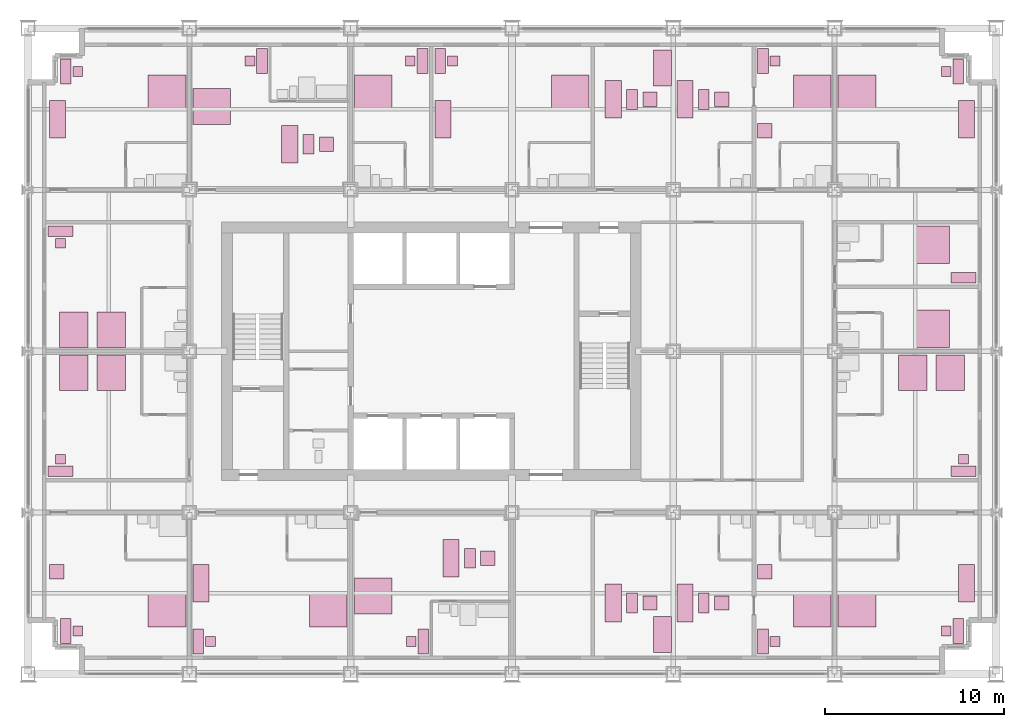
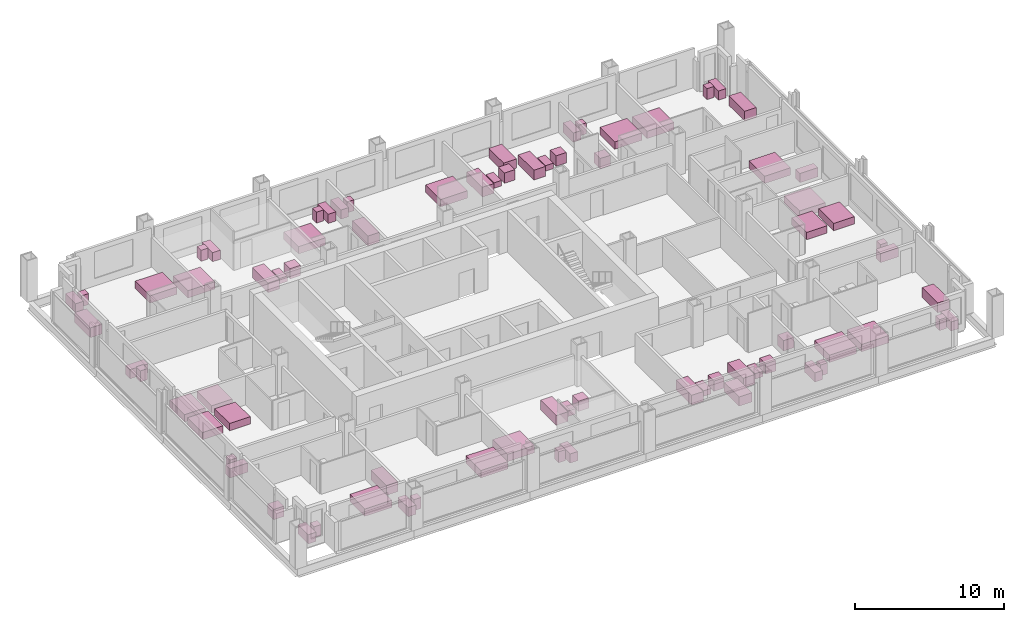
# One storey, part 18 of 18: 76 furniture elements.
"""IFC4 building model written with IfcOpenShell, lengths in metres."""

from ifc_helpers import new_model, si_unit, direction, frame, origin, origin_2d, place, context, subcontext, project, spatial, rectangle, extrude, element, save


model = new_model("IFC4")

# Units and contexts
model_context = context("Model", 3, precision=1e-05, world=origin(), true_north=direction((0.0, 1.0)))
body_context = subcontext(model_context, "Body", "Model", "MODEL_VIEW")
ifc_project = project(units=[si_unit("LENGTHUNIT", "METRE"), si_unit("AREAUNIT", "SQUARE_METRE"), si_unit("VOLUMEUNIT", "CUBIC_METRE"), si_unit("PLANEANGLEUNIT", "RADIAN"), si_unit("MASSUNIT", "GRAM", prefix="KILO")], contexts=[model_context])

# Site, building, storey
site_placement = place(None, origin())
site = spatial("IfcSite", under=ifc_project, at=site_placement, CompositionType="ELEMENT")
building_placement = place(site_placement, origin())
building = spatial("IfcBuilding", under=site, at=building_placement, Name="Loomwork Tower", CompositionType="ELEMENT")
storey_placement = place(building_placement, frame((0.0, 0.0, 79.0)))
storey = spatial("IfcBuildingStorey", under=building, at=storey_placement, Name="L20", CompositionType="ELEMENT", Elevation=79.0)

# Furniture
furniture_1_placement = place(storey_placement, frame((7.75, 3.60009765625, 0.0), z_axis=(0.0, 0.0, 1.0), x_axis=(1.0, 0.0, 0.0)))
element("IfcFurniture", 1, at=furniture_1_placement, inside=storey, Name="King bed L20", PredefinedType="BED", context=body_context, shape_type="SweptSolid", body=[
    extrude(rectangle(XDim=2.10009765625, YDim=2.0, at=origin_2d()), origin(), (0.0, 0.0, 1.0), 0.60009765625),
])
furniture_2_placement = place(storey_placement, frame((2.10009765625, 2.39990234375, 0.0), z_axis=(0.0, 0.0, 1.0), x_axis=(1.0, 0.0, 0.0)))
element("IfcFurniture", 2, at=furniture_2_placement, inside=storey, Name="Writing desk L20", PredefinedType="DESK", context=body_context, shape_type="SweptSolid", body=[
    extrude(rectangle(XDim=0.60009765625, YDim=1.39990234375, at=origin_2d()), origin(), (0.0, 0.0, 1.0), 0.75),
])
furniture_3_placement = place(storey_placement, frame((2.77490234375, 2.39990234375, 0.0), z_axis=(0.0, 0.0, 1.0), x_axis=(1.0, 0.0, 0.0)))
element("IfcFurniture", 3, at=furniture_3_placement, inside=storey, Name="Desk chair L20", PredefinedType="CHAIR", context=body_context, shape_type="SweptSolid", body=[
    extrude(rectangle(XDim=0.550048828125, YDim=0.550048828125, at=origin_2d()), origin(), (0.0, 0.0, 1.0), 0.89990234375),
])
furniture_4_placement = place(storey_placement, frame((1.60009765625, 5.699951171875, 0.0), z_axis=(0.0, 0.0, 1.0), x_axis=(1.0, 0.0, 0.0)))
element("IfcFurniture", 4, at=furniture_4_placement, inside=storey, Name="Lounge armchair L20", PredefinedType="CHAIR", context=body_context, shape_type="SweptSolid", body=[
    extrude(rectangle(XDim=0.800048828125, YDim=0.800048828125, at=origin_2d()), origin(), (0.0, 0.0, 1.0), 0.85009765625),
])
furniture_5_placement = place(storey_placement, frame((16.75, 3.60009765625, 0.0), z_axis=(0.0, 0.0, 1.0), x_axis=(1.0, 0.0, 0.0)))
element("IfcFurniture", 5, at=furniture_5_placement, inside=storey, Name="King bed L20", PredefinedType="BED", context=body_context, shape_type="SweptSolid", body=[
    extrude(rectangle(XDim=2.10009765625, YDim=2.0, at=origin_2d()), origin(), (0.0, 0.0, 1.0), 0.60009765625),
])
furniture_6_placement = place(storey_placement, frame((9.5, 1.800048828125, 0.0), z_axis=(0.0, 0.0, 1.0), x_axis=(1.0, 0.0, 0.0)))
element("IfcFurniture", 6, at=furniture_6_placement, inside=storey, Name="Writing desk L20", PredefinedType="DESK", context=body_context, shape_type="SweptSolid", body=[
    extrude(rectangle(XDim=0.60009765625, YDim=1.39990234375, at=origin_2d()), origin(), (0.0, 0.0, 1.0), 0.75),
])
furniture_7_placement = place(storey_placement, frame((10.175048828125, 1.800048828125, 0.0), z_axis=(0.0, 0.0, 1.0), x_axis=(1.0, 0.0, 0.0)))
element("IfcFurniture", 7, at=furniture_7_placement, inside=storey, Name="Desk chair L20", PredefinedType="CHAIR", context=body_context, shape_type="SweptSolid", body=[
    extrude(rectangle(XDim=0.550048828125, YDim=0.550048828125, at=origin_2d()), origin(), (0.0, 0.0, 1.0), 0.89990234375),
])
furniture_8_placement = place(storey_placement, frame((9.64990234375, 5.050048828125, 0.0), z_axis=(0.0, 0.0, 1.0), x_axis=(1.0, 0.0, 0.0)))
element("IfcFurniture", 8, at=furniture_8_placement, inside=storey, Name="Sofa L20", PredefinedType="SOFA", context=body_context, shape_type="SweptSolid", body=[
    extrude(rectangle(XDim=0.89990234375, YDim=2.10009765625, at=origin_2d()), origin(), (0.0, 0.0, 1.0), 0.800048828125),
])
furniture_9_placement = place(storey_placement, frame((19.25, 4.35009765625, 0.0), z_axis=(0.0, 0.0, 1.0), x_axis=(1.0, 0.0, 0.0)))
element("IfcFurniture", 9, at=furniture_9_placement, inside=storey, Name="King bed L20", PredefinedType="BED", context=body_context, shape_type="SweptSolid", body=[
    extrude(rectangle(XDim=2.10009765625, YDim=2.0, at=origin_2d()), origin(), (0.0, 0.0, 1.0), 0.60009765625),
])
furniture_10_placement = place(storey_placement, frame((22.050048828125, 1.800048828125, 0.0), z_axis=(0.0, 0.0, 1.0), x_axis=(1.0, 0.0, 0.0)))
element("IfcFurniture", 10, at=furniture_10_placement, inside=storey, Name="Writing desk L20", PredefinedType="DESK", context=body_context, shape_type="SweptSolid", body=[
    extrude(rectangle(XDim=0.60009765625, YDim=1.39990234375, at=origin_2d()), origin(), (0.0, 0.0, 1.0), 0.75),
])
furniture_11_placement = place(storey_placement, frame((21.375, 1.800048828125, 0.0), z_axis=(0.0, 0.0, 1.0), x_axis=(1.0, 0.0, 0.0)))
element("IfcFurniture", 11, at=furniture_11_placement, inside=storey, Name="Desk chair L20", PredefinedType="CHAIR", context=body_context, shape_type="SweptSolid", body=[
    extrude(rectangle(XDim=0.550048828125, YDim=0.550048828125, at=origin_2d()), origin(), (0.0, 0.0, 1.0), 0.89990234375),
])
furniture_12_placement = place(storey_placement, frame((23.60009765625, 6.449951171875, 0.0), z_axis=(0.0, 0.0, 1.0), x_axis=(1.0, 0.0, 0.0)))
element("IfcFurniture", 12, at=furniture_12_placement, inside=storey, Name="Sofa L20", PredefinedType="SOFA", context=body_context, shape_type="SweptSolid", body=[
    extrude(rectangle(XDim=0.89990234375, YDim=2.10009765625, at=origin_2d()), origin(), (0.0, 0.0, 1.0), 0.800048828125),
])
furniture_13_placement = place(storey_placement, frame((24.64990234375, 6.449951171875, 0.0), z_axis=(0.0, 0.0, 1.0), x_axis=(1.0, 0.0, 0.0)))
element("IfcFurniture", 13, at=furniture_13_placement, inside=storey, Name="Coffee table L20", PredefinedType="TABLE", context=body_context, shape_type="SweptSolid", body=[
    extrude(rectangle(XDim=0.60009765625, YDim=1.10009765625, at=origin_2d()), origin(), (0.0, 0.0, 1.0), 0.449951171875),
])
furniture_14_placement = place(storey_placement, frame((25.64990234375, 6.449951171875, 0.0), z_axis=(0.0, 0.0, 1.0), x_axis=(1.0, 0.0, 0.0)))
element("IfcFurniture", 14, at=furniture_14_placement, inside=storey, Name="Lounge armchair L20", PredefinedType="CHAIR", context=body_context, shape_type="SweptSolid", body=[
    extrude(rectangle(XDim=0.800048828125, YDim=0.800048828125, at=origin_2d()), origin(), (0.0, 0.0, 1.0), 0.85009765625),
])
furniture_15_placement = place(storey_placement, frame((32.64990234375, 3.949951171875, 0.0), z_axis=(0.0, 0.0, 1.0), x_axis=(1.0, 0.0, 0.0)))
element("IfcFurniture", 15, at=furniture_15_placement, inside=storey, Name="Sofa L20", PredefinedType="SOFA", context=body_context, shape_type="SweptSolid", body=[
    extrude(rectangle(XDim=0.89990234375, YDim=2.10009765625, at=origin_2d()), origin(), (0.0, 0.0, 1.0), 0.800048828125),
])
furniture_16_placement = place(storey_placement, frame((33.699951171875, 3.949951171875, 0.0), z_axis=(0.0, 0.0, 1.0), x_axis=(1.0, 0.0, 0.0)))
element("IfcFurniture", 16, at=furniture_16_placement, inside=storey, Name="Coffee table L20", PredefinedType="TABLE", context=body_context, shape_type="SweptSolid", body=[
    extrude(rectangle(XDim=0.60009765625, YDim=1.10009765625, at=origin_2d()), origin(), (0.0, 0.0, 1.0), 0.449951171875),
])
furniture_17_placement = place(storey_placement, frame((34.699951171875, 3.949951171875, 0.0), z_axis=(0.0, 0.0, 1.0), x_axis=(1.0, 0.0, 0.0)))
element("IfcFurniture", 17, at=furniture_17_placement, inside=storey, Name="Lounge armchair L20", PredefinedType="CHAIR", context=body_context, shape_type="SweptSolid", body=[
    extrude(rectangle(XDim=0.800048828125, YDim=0.800048828125, at=origin_2d()), origin(), (0.0, 0.0, 1.0), 0.85009765625),
])
furniture_18_placement = place(storey_placement, frame((36.64990234375, 3.949951171875, 0.0), z_axis=(0.0, 0.0, 1.0), x_axis=(1.0, 0.0, 0.0)))
element("IfcFurniture", 18, at=furniture_18_placement, inside=storey, Name="Sofa L20", PredefinedType="SOFA", context=body_context, shape_type="SweptSolid", body=[
    extrude(rectangle(XDim=0.89990234375, YDim=2.10009765625, at=origin_2d()), origin(), (0.0, 0.0, 1.0), 0.800048828125),
])
furniture_19_placement = place(storey_placement, frame((37.699951171875, 3.949951171875, 0.0), z_axis=(0.0, 0.0, 1.0), x_axis=(1.0, 0.0, 0.0)))
element("IfcFurniture", 19, at=furniture_19_placement, inside=storey, Name="Coffee table L20", PredefinedType="TABLE", context=body_context, shape_type="SweptSolid", body=[
    extrude(rectangle(XDim=0.60009765625, YDim=1.10009765625, at=origin_2d()), origin(), (0.0, 0.0, 1.0), 0.449951171875),
])
furniture_20_placement = place(storey_placement, frame((38.699951171875, 3.949951171875, 0.0), z_axis=(0.0, 0.0, 1.0), x_axis=(1.0, 0.0, 0.0)))
element("IfcFurniture", 20, at=furniture_20_placement, inside=storey, Name="Lounge armchair L20", PredefinedType="CHAIR", context=body_context, shape_type="SweptSolid", body=[
    extrude(rectangle(XDim=0.800048828125, YDim=0.800048828125, at=origin_2d()), origin(), (0.0, 0.0, 1.0), 0.85009765625),
])
furniture_21_placement = place(storey_placement, frame((35.39990234375, 2.199951171875, 0.0), z_axis=(0.0, 0.0, 1.0), x_axis=(1.0, 0.0, 0.0)))
element("IfcFurniture", 21, at=furniture_21_placement, inside=storey, Name="Dining table L20", PredefinedType="TABLE", context=body_context, shape_type="SweptSolid", body=[
    extrude(rectangle(XDim=1.0, YDim=2.0, at=origin_2d()), origin(), (0.0, 0.0, 1.0), 0.75),
])
furniture_22_placement = place(storey_placement, frame((43.75, 3.60009765625, 0.0), z_axis=(0.0, 0.0, 1.0), x_axis=(1.0, 0.0, 0.0)))
element("IfcFurniture", 22, at=furniture_22_placement, inside=storey, Name="King bed L20", PredefinedType="BED", context=body_context, shape_type="SweptSolid", body=[
    extrude(rectangle(XDim=2.10009765625, YDim=2.0, at=origin_2d()), origin(), (0.0, 0.0, 1.0), 0.60009765625),
])
furniture_23_placement = place(storey_placement, frame((41.0, 1.800048828125, 0.0), z_axis=(0.0, 0.0, 1.0), x_axis=(1.0, 0.0, 0.0)))
element("IfcFurniture", 23, at=furniture_23_placement, inside=storey, Name="Writing desk L20", PredefinedType="DESK", context=body_context, shape_type="SweptSolid", body=[
    extrude(rectangle(XDim=0.60009765625, YDim=1.39990234375, at=origin_2d()), origin(), (0.0, 0.0, 1.0), 0.75),
])
furniture_24_placement = place(storey_placement, frame((41.675048828125, 1.800048828125, 0.0), z_axis=(0.0, 0.0, 1.0), x_axis=(1.0, 0.0, 0.0)))
element("IfcFurniture", 24, at=furniture_24_placement, inside=storey, Name="Desk chair L20", PredefinedType="CHAIR", context=body_context, shape_type="SweptSolid", body=[
    extrude(rectangle(XDim=0.550048828125, YDim=0.550048828125, at=origin_2d()), origin(), (0.0, 0.0, 1.0), 0.89990234375),
])
furniture_25_placement = place(storey_placement, frame((41.10009765625, 5.699951171875, 0.0), z_axis=(0.0, 0.0, 1.0), x_axis=(1.0, 0.0, 0.0)))
element("IfcFurniture", 25, at=furniture_25_placement, inside=storey, Name="Lounge armchair L20", PredefinedType="CHAIR", context=body_context, shape_type="SweptSolid", body=[
    extrude(rectangle(XDim=0.800048828125, YDim=0.800048828125, at=origin_2d()), origin(), (0.0, 0.0, 1.0), 0.85009765625),
])
furniture_26_placement = place(storey_placement, frame((46.25, 3.60009765625, 0.0), z_axis=(0.0, 0.0, 1.0), x_axis=(1.0, 0.0, 0.0)))
element("IfcFurniture", 26, at=furniture_26_placement, inside=storey, Name="King bed L20", PredefinedType="BED", context=body_context, shape_type="SweptSolid", body=[
    extrude(rectangle(XDim=2.10009765625, YDim=2.0, at=origin_2d()), origin(), (0.0, 0.0, 1.0), 0.60009765625),
])
furniture_27_placement = place(storey_placement, frame((51.89990234375, 2.39990234375, 0.0), z_axis=(0.0, 0.0, 1.0), x_axis=(1.0, 0.0, 0.0)))
element("IfcFurniture", 27, at=furniture_27_placement, inside=storey, Name="Writing desk L20", PredefinedType="DESK", context=body_context, shape_type="SweptSolid", body=[
    extrude(rectangle(XDim=0.60009765625, YDim=1.39990234375, at=origin_2d()), origin(), (0.0, 0.0, 1.0), 0.75),
])
furniture_28_placement = place(storey_placement, frame((51.22509765625, 2.39990234375, 0.0), z_axis=(0.0, 0.0, 1.0), x_axis=(1.0, 0.0, 0.0)))
element("IfcFurniture", 28, at=furniture_28_placement, inside=storey, Name="Desk chair L20", PredefinedType="CHAIR", context=body_context, shape_type="SweptSolid", body=[
    extrude(rectangle(XDim=0.550048828125, YDim=0.550048828125, at=origin_2d()), origin(), (0.0, 0.0, 1.0), 0.89990234375),
])
furniture_29_placement = place(storey_placement, frame((52.35009765625, 5.050048828125, 0.0), z_axis=(0.0, 0.0, 1.0), x_axis=(1.0, 0.0, 0.0)))
element("IfcFurniture", 29, at=furniture_29_placement, inside=storey, Name="Sofa L20", PredefinedType="SOFA", context=body_context, shape_type="SweptSolid", body=[
    extrude(rectangle(XDim=0.89990234375, YDim=2.10009765625, at=origin_2d()), origin(), (0.0, 0.0, 1.0), 0.800048828125),
])
furniture_30_placement = place(storey_placement, frame((7.75, 32.39990234375, 0.0), z_axis=(0.0, 0.0, 1.0), x_axis=(1.0, 0.0, 0.0)))
element("IfcFurniture", 30, at=furniture_30_placement, inside=storey, Name="King bed L20", PredefinedType="BED", context=body_context, shape_type="SweptSolid", body=[
    extrude(rectangle(XDim=2.10009765625, YDim=2.0, at=origin_2d()), origin(), (0.0, 0.0, 1.0), 0.60009765625),
])
furniture_31_placement = place(storey_placement, frame((2.10009765625, 33.60009765625, 0.0), z_axis=(0.0, 0.0, 1.0), x_axis=(1.0, 0.0, 0.0)))
element("IfcFurniture", 31, at=furniture_31_placement, inside=storey, Name="Writing desk L20", PredefinedType="DESK", context=body_context, shape_type="SweptSolid", body=[
    extrude(rectangle(XDim=0.60009765625, YDim=1.39990234375, at=origin_2d()), origin(), (0.0, 0.0, 1.0), 0.75),
])
furniture_32_placement = place(storey_placement, frame((2.77490234375, 33.60009765625, 0.0), z_axis=(0.0, 0.0, 1.0), x_axis=(1.0, 0.0, 0.0)))
element("IfcFurniture", 32, at=furniture_32_placement, inside=storey, Name="Desk chair L20", PredefinedType="CHAIR", context=body_context, shape_type="SweptSolid", body=[
    extrude(rectangle(XDim=0.550048828125, YDim=0.550048828125, at=origin_2d()), origin(), (0.0, 0.0, 1.0), 0.89990234375),
])
furniture_33_placement = place(storey_placement, frame((1.64990234375, 30.949951171875, 0.0), z_axis=(0.0, 0.0, 1.0), x_axis=(1.0, 0.0, 0.0)))
element("IfcFurniture", 33, at=furniture_33_placement, inside=storey, Name="Sofa L20", PredefinedType="SOFA", context=body_context, shape_type="SweptSolid", body=[
    extrude(rectangle(XDim=0.89990234375, YDim=2.10009765625, at=origin_2d()), origin(), (0.0, 0.0, 1.0), 0.800048828125),
])
furniture_34_placement = place(storey_placement, frame((10.25, 31.64990234375, 0.0), z_axis=(0.0, 0.0, 1.0), x_axis=(1.0, 0.0, 0.0)))
element("IfcFurniture", 34, at=furniture_34_placement, inside=storey, Name="King bed L20", PredefinedType="BED", context=body_context, shape_type="SweptSolid", body=[
    extrude(rectangle(XDim=2.10009765625, YDim=2.0, at=origin_2d()), origin(), (0.0, 0.0, 1.0), 0.60009765625),
])
furniture_35_placement = place(storey_placement, frame((13.050048828125, 34.199951171875, 0.0), z_axis=(0.0, 0.0, 1.0), x_axis=(1.0, 0.0, 0.0)))
element("IfcFurniture", 35, at=furniture_35_placement, inside=storey, Name="Writing desk L20", PredefinedType="DESK", context=body_context, shape_type="SweptSolid", body=[
    extrude(rectangle(XDim=0.60009765625, YDim=1.39990234375, at=origin_2d()), origin(), (0.0, 0.0, 1.0), 0.75),
])
furniture_36_placement = place(storey_placement, frame((12.375, 34.199951171875, 0.0), z_axis=(0.0, 0.0, 1.0), x_axis=(1.0, 0.0, 0.0)))
element("IfcFurniture", 36, at=furniture_36_placement, inside=storey, Name="Desk chair L20", PredefinedType="CHAIR", context=body_context, shape_type="SweptSolid", body=[
    extrude(rectangle(XDim=0.550048828125, YDim=0.550048828125, at=origin_2d()), origin(), (0.0, 0.0, 1.0), 0.89990234375),
])
furniture_37_placement = place(storey_placement, frame((14.60009765625, 29.550048828125, 0.0), z_axis=(0.0, 0.0, 1.0), x_axis=(1.0, 0.0, 0.0)))
element("IfcFurniture", 37, at=furniture_37_placement, inside=storey, Name="Sofa L20", PredefinedType="SOFA", context=body_context, shape_type="SweptSolid", body=[
    extrude(rectangle(XDim=0.89990234375, YDim=2.10009765625, at=origin_2d()), origin(), (0.0, 0.0, 1.0), 0.800048828125),
])
furniture_38_placement = place(storey_placement, frame((15.64990234375, 29.550048828125, 0.0), z_axis=(0.0, 0.0, 1.0), x_axis=(1.0, 0.0, 0.0)))
element("IfcFurniture", 38, at=furniture_38_placement, inside=storey, Name="Coffee table L20", PredefinedType="TABLE", context=body_context, shape_type="SweptSolid", body=[
    extrude(rectangle(XDim=0.60009765625, YDim=1.10009765625, at=origin_2d()), origin(), (0.0, 0.0, 1.0), 0.449951171875),
])
furniture_39_placement = place(storey_placement, frame((16.64990234375, 29.550048828125, 0.0), z_axis=(0.0, 0.0, 1.0), x_axis=(1.0, 0.0, 0.0)))
element("IfcFurniture", 39, at=furniture_39_placement, inside=storey, Name="Lounge armchair L20", PredefinedType="CHAIR", context=body_context, shape_type="SweptSolid", body=[
    extrude(rectangle(XDim=0.800048828125, YDim=0.800048828125, at=origin_2d()), origin(), (0.0, 0.0, 1.0), 0.85009765625),
])
furniture_40_placement = place(storey_placement, frame((19.25, 32.39990234375, 0.0), z_axis=(0.0, 0.0, 1.0), x_axis=(1.0, 0.0, 0.0)))
element("IfcFurniture", 40, at=furniture_40_placement, inside=storey, Name="King bed L20", PredefinedType="BED", context=body_context, shape_type="SweptSolid", body=[
    extrude(rectangle(XDim=2.10009765625, YDim=2.0, at=origin_2d()), origin(), (0.0, 0.0, 1.0), 0.60009765625),
])
furniture_41_placement = place(storey_placement, frame((22.0, 34.199951171875, 0.0), z_axis=(0.0, 0.0, 1.0), x_axis=(1.0, 0.0, 0.0)))
element("IfcFurniture", 41, at=furniture_41_placement, inside=storey, Name="Writing desk L20", PredefinedType="DESK", context=body_context, shape_type="SweptSolid", body=[
    extrude(rectangle(XDim=0.60009765625, YDim=1.39990234375, at=origin_2d()), origin(), (0.0, 0.0, 1.0), 0.75),
])
furniture_42_placement = place(storey_placement, frame((21.324951171875, 34.199951171875, 0.0), z_axis=(0.0, 0.0, 1.0), x_axis=(1.0, 0.0, 0.0)))
element("IfcFurniture", 42, at=furniture_42_placement, inside=storey, Name="Desk chair L20", PredefinedType="CHAIR", context=body_context, shape_type="SweptSolid", body=[
    extrude(rectangle(XDim=0.550048828125, YDim=0.550048828125, at=origin_2d()), origin(), (0.0, 0.0, 1.0), 0.89990234375),
])
furniture_43_placement = place(storey_placement, frame((30.25, 32.39990234375, 0.0), z_axis=(0.0, 0.0, 1.0), x_axis=(1.0, 0.0, 0.0)))
element("IfcFurniture", 43, at=furniture_43_placement, inside=storey, Name="King bed L20", PredefinedType="BED", context=body_context, shape_type="SweptSolid", body=[
    extrude(rectangle(XDim=2.10009765625, YDim=2.0, at=origin_2d()), origin(), (0.0, 0.0, 1.0), 0.60009765625),
])
furniture_44_placement = place(storey_placement, frame((23.0, 34.199951171875, 0.0), z_axis=(0.0, 0.0, 1.0), x_axis=(1.0, 0.0, 0.0)))
element("IfcFurniture", 44, at=furniture_44_placement, inside=storey, Name="Writing desk L20", PredefinedType="DESK", context=body_context, shape_type="SweptSolid", body=[
    extrude(rectangle(XDim=0.60009765625, YDim=1.39990234375, at=origin_2d()), origin(), (0.0, 0.0, 1.0), 0.75),
])
furniture_45_placement = place(storey_placement, frame((23.675048828125, 34.199951171875, 0.0), z_axis=(0.0, 0.0, 1.0), x_axis=(1.0, 0.0, 0.0)))
element("IfcFurniture", 45, at=furniture_45_placement, inside=storey, Name="Desk chair L20", PredefinedType="CHAIR", context=body_context, shape_type="SweptSolid", body=[
    extrude(rectangle(XDim=0.550048828125, YDim=0.550048828125, at=origin_2d()), origin(), (0.0, 0.0, 1.0), 0.89990234375),
])
for number, where, z_axis, x_axis, name in (
    (46, (23.14990234375, 30.949951171875, 0.0), (0.0, 0.0, 1.0), (1.0, 0.0, 0.0), "Sofa L20"),
    (47, (32.64990234375, 32.050048828125, 0.0), (0.0, 0.0, 1.0), (1.0, 0.0, 0.0), "Sofa L20"),
):
    element("IfcFurniture", number, at=place(storey_placement, frame(where, z_axis=z_axis, x_axis=x_axis)), inside=storey, Name=name, PredefinedType="SOFA", context=body_context, shape_type="SweptSolid", body=[
        extrude(rectangle(XDim=0.89990234375, YDim=2.10009765625, at=origin_2d()), origin(), (0.0, 0.0, 1.0), 0.800048828125),
    ])
furniture_46_placement = place(storey_placement, frame((33.699951171875, 32.050048828125, 0.0), z_axis=(0.0, 0.0, 1.0), x_axis=(1.0, 0.0, 0.0)))
element("IfcFurniture", 48, at=furniture_46_placement, inside=storey, Name="Coffee table L20", PredefinedType="TABLE", context=body_context, shape_type="SweptSolid", body=[
    extrude(rectangle(XDim=0.60009765625, YDim=1.10009765625, at=origin_2d()), origin(), (0.0, 0.0, 1.0), 0.449951171875),
])
furniture_47_placement = place(storey_placement, frame((34.699951171875, 32.050048828125, 0.0), z_axis=(0.0, 0.0, 1.0), x_axis=(1.0, 0.0, 0.0)))
element("IfcFurniture", 49, at=furniture_47_placement, inside=storey, Name="Lounge armchair L20", PredefinedType="CHAIR", context=body_context, shape_type="SweptSolid", body=[
    extrude(rectangle(XDim=0.800048828125, YDim=0.800048828125, at=origin_2d()), origin(), (0.0, 0.0, 1.0), 0.85009765625),
])
furniture_48_placement = place(storey_placement, frame((36.64990234375, 32.050048828125, 0.0), z_axis=(0.0, 0.0, 1.0), x_axis=(1.0, 0.0, 0.0)))
element("IfcFurniture", 50, at=furniture_48_placement, inside=storey, Name="Sofa L20", PredefinedType="SOFA", context=body_context, shape_type="SweptSolid", body=[
    extrude(rectangle(XDim=0.89990234375, YDim=2.10009765625, at=origin_2d()), origin(), (0.0, 0.0, 1.0), 0.800048828125),
])
furniture_49_placement = place(storey_placement, frame((37.699951171875, 32.050048828125, 0.0), z_axis=(0.0, 0.0, 1.0), x_axis=(1.0, 0.0, 0.0)))
element("IfcFurniture", 51, at=furniture_49_placement, inside=storey, Name="Coffee table L20", PredefinedType="TABLE", context=body_context, shape_type="SweptSolid", body=[
    extrude(rectangle(XDim=0.60009765625, YDim=1.10009765625, at=origin_2d()), origin(), (0.0, 0.0, 1.0), 0.449951171875),
])
furniture_50_placement = place(storey_placement, frame((38.699951171875, 32.050048828125, 0.0), z_axis=(0.0, 0.0, 1.0), x_axis=(1.0, 0.0, 0.0)))
element("IfcFurniture", 52, at=furniture_50_placement, inside=storey, Name="Lounge armchair L20", PredefinedType="CHAIR", context=body_context, shape_type="SweptSolid", body=[
    extrude(rectangle(XDim=0.800048828125, YDim=0.800048828125, at=origin_2d()), origin(), (0.0, 0.0, 1.0), 0.85009765625),
])
furniture_51_placement = place(storey_placement, frame((35.39990234375, 33.800048828125, 0.0), z_axis=(0.0, 0.0, 1.0), x_axis=(1.0, 0.0, 0.0)))
element("IfcFurniture", 53, at=furniture_51_placement, inside=storey, Name="Dining table L20", PredefinedType="TABLE", context=body_context, shape_type="SweptSolid", body=[
    extrude(rectangle(XDim=1.0, YDim=2.0, at=origin_2d()), origin(), (0.0, 0.0, 1.0), 0.75),
])
furniture_52_placement = place(storey_placement, frame((43.75, 32.39990234375, 0.0), z_axis=(0.0, 0.0, 1.0), x_axis=(1.0, 0.0, 0.0)))
element("IfcFurniture", 54, at=furniture_52_placement, inside=storey, Name="King bed L20", PredefinedType="BED", context=body_context, shape_type="SweptSolid", body=[
    extrude(rectangle(XDim=2.10009765625, YDim=2.0, at=origin_2d()), origin(), (0.0, 0.0, 1.0), 0.60009765625),
])
furniture_53_placement = place(storey_placement, frame((41.0, 34.199951171875, 0.0), z_axis=(0.0, 0.0, 1.0), x_axis=(1.0, 0.0, 0.0)))
element("IfcFurniture", 55, at=furniture_53_placement, inside=storey, Name="Writing desk L20", PredefinedType="DESK", context=body_context, shape_type="SweptSolid", body=[
    extrude(rectangle(XDim=0.60009765625, YDim=1.39990234375, at=origin_2d()), origin(), (0.0, 0.0, 1.0), 0.75),
])
furniture_54_placement = place(storey_placement, frame((41.675048828125, 34.199951171875, 0.0), z_axis=(0.0, 0.0, 1.0), x_axis=(1.0, 0.0, 0.0)))
element("IfcFurniture", 56, at=furniture_54_placement, inside=storey, Name="Desk chair L20", PredefinedType="CHAIR", context=body_context, shape_type="SweptSolid", body=[
    extrude(rectangle(XDim=0.550048828125, YDim=0.550048828125, at=origin_2d()), origin(), (0.0, 0.0, 1.0), 0.89990234375),
])
furniture_55_placement = place(storey_placement, frame((41.10009765625, 30.300048828125, 0.0), z_axis=(0.0, 0.0, 1.0), x_axis=(1.0, 0.0, 0.0)))
element("IfcFurniture", 57, at=furniture_55_placement, inside=storey, Name="Lounge armchair L20", PredefinedType="CHAIR", context=body_context, shape_type="SweptSolid", body=[
    extrude(rectangle(XDim=0.800048828125, YDim=0.800048828125, at=origin_2d()), origin(), (0.0, 0.0, 1.0), 0.85009765625),
])
furniture_56_placement = place(storey_placement, frame((46.25, 32.39990234375, 0.0), z_axis=(0.0, 0.0, 1.0), x_axis=(1.0, 0.0, 0.0)))
element("IfcFurniture", 58, at=furniture_56_placement, inside=storey, Name="King bed L20", PredefinedType="BED", context=body_context, shape_type="SweptSolid", body=[
    extrude(rectangle(XDim=2.10009765625, YDim=2.0, at=origin_2d()), origin(), (0.0, 0.0, 1.0), 0.60009765625),
])
furniture_57_placement = place(storey_placement, frame((51.89990234375, 33.60009765625, 0.0), z_axis=(0.0, 0.0, 1.0), x_axis=(1.0, 0.0, 0.0)))
element("IfcFurniture", 59, at=furniture_57_placement, inside=storey, Name="Writing desk L20", PredefinedType="DESK", context=body_context, shape_type="SweptSolid", body=[
    extrude(rectangle(XDim=0.60009765625, YDim=1.39990234375, at=origin_2d()), origin(), (0.0, 0.0, 1.0), 0.75),
])
furniture_58_placement = place(storey_placement, frame((51.22509765625, 33.60009765625, 0.0), z_axis=(0.0, 0.0, 1.0), x_axis=(1.0, 0.0, 0.0)))
element("IfcFurniture", 60, at=furniture_58_placement, inside=storey, Name="Desk chair L20", PredefinedType="CHAIR", context=body_context, shape_type="SweptSolid", body=[
    extrude(rectangle(XDim=0.550048828125, YDim=0.550048828125, at=origin_2d()), origin(), (0.0, 0.0, 1.0), 0.89990234375),
])
furniture_59_placement = place(storey_placement, frame((52.35009765625, 30.949951171875, 0.0), z_axis=(0.0, 0.0, 1.0), x_axis=(1.0, 0.0, 0.0)))
element("IfcFurniture", 61, at=furniture_59_placement, inside=storey, Name="Sofa L20", PredefinedType="SOFA", context=body_context, shape_type="SweptSolid", body=[
    extrude(rectangle(XDim=0.89990234375, YDim=2.10009765625, at=origin_2d()), origin(), (0.0, 0.0, 1.0), 0.800048828125),
])
for number, where, z_axis, x_axis, name in (
    (62, (4.64990234375, 16.800048828125, 0.0), (0.0, 0.0, 1.0), (1.0, 0.0, 0.0), "Queen bed L20"),
    (63, (2.550048828125, 16.800048828125, 0.0), (0.0, 0.0, 1.0), (1.0, 0.0, 0.0), "Queen bed L20"),
):
    element("IfcFurniture", number, at=place(storey_placement, frame(where, z_axis=z_axis, x_axis=x_axis)), inside=storey, Name=name, PredefinedType="BED", context=body_context, shape_type="SweptSolid", body=[
        extrude(rectangle(XDim=1.60009765625, YDim=2.0, at=origin_2d()), origin(), (0.0, 0.0, 1.0), 0.60009765625),
    ])
furniture_60_placement = place(storey_placement, frame((1.800048828125, 11.300048828125, 0.0), z_axis=(0.0, 0.0, 1.0), x_axis=(1.0, 0.0, 0.0)))
element("IfcFurniture", 64, at=furniture_60_placement, inside=storey, Name="Writing desk L20", PredefinedType="DESK", context=body_context, shape_type="SweptSolid", body=[
    extrude(rectangle(XDim=1.39990234375, YDim=0.60009765625, at=origin_2d()), origin(), (0.0, 0.0, 1.0), 0.75),
])
furniture_61_placement = place(storey_placement, frame((1.800048828125, 11.97509765625, 0.0), z_axis=(0.0, 0.0, 1.0), x_axis=(1.0, 0.0, 0.0)))
element("IfcFurniture", 65, at=furniture_61_placement, inside=storey, Name="Desk chair L20", PredefinedType="CHAIR", context=body_context, shape_type="SweptSolid", body=[
    extrude(rectangle(XDim=0.550048828125, YDim=0.550048828125, at=origin_2d()), origin(), (0.0, 0.0, 1.0), 0.89990234375),
])
for number, where, z_axis, x_axis, name in (
    (66, (4.64990234375, 19.199951171875, 0.0), (0.0, 0.0, 1.0), (1.0, 0.0, 0.0), "Queen bed L20"),
    (67, (2.550048828125, 19.199951171875, 0.0), (0.0, 0.0, 1.0), (1.0, 0.0, 0.0), "Queen bed L20"),
):
    element("IfcFurniture", number, at=place(storey_placement, frame(where, z_axis=z_axis, x_axis=x_axis)), inside=storey, Name=name, PredefinedType="BED", context=body_context, shape_type="SweptSolid", body=[
        extrude(rectangle(XDim=1.60009765625, YDim=2.0, at=origin_2d()), origin(), (0.0, 0.0, 1.0), 0.60009765625),
    ])
furniture_62_placement = place(storey_placement, frame((1.800048828125, 24.699951171875, 0.0), z_axis=(0.0, 0.0, 1.0), x_axis=(1.0, 0.0, 0.0)))
element("IfcFurniture", 68, at=furniture_62_placement, inside=storey, Name="Writing desk L20", PredefinedType="DESK", context=body_context, shape_type="SweptSolid", body=[
    extrude(rectangle(XDim=1.39990234375, YDim=0.60009765625, at=origin_2d()), origin(), (0.0, 0.0, 1.0), 0.75),
])
furniture_63_placement = place(storey_placement, frame((1.800048828125, 24.02490234375, 0.0), z_axis=(0.0, 0.0, 1.0), x_axis=(1.0, 0.0, 0.0)))
element("IfcFurniture", 69, at=furniture_63_placement, inside=storey, Name="Desk chair L20", PredefinedType="CHAIR", context=body_context, shape_type="SweptSolid", body=[
    extrude(rectangle(XDim=0.550048828125, YDim=0.550048828125, at=origin_2d()), origin(), (0.0, 0.0, 1.0), 0.89990234375),
])
for number, where, z_axis, x_axis, name in (
    (70, (49.35009765625, 16.800048828125, 0.0), (0.0, 0.0, 1.0), (1.0, 0.0, 0.0), "Queen bed L20"),
    (71, (51.449951171875, 16.800048828125, 0.0), (0.0, 0.0, 1.0), (1.0, 0.0, 0.0), "Queen bed L20"),
):
    element("IfcFurniture", number, at=place(storey_placement, frame(where, z_axis=z_axis, x_axis=x_axis)), inside=storey, Name=name, PredefinedType="BED", context=body_context, shape_type="SweptSolid", body=[
        extrude(rectangle(XDim=1.60009765625, YDim=2.0, at=origin_2d()), origin(), (0.0, 0.0, 1.0), 0.60009765625),
    ])
furniture_64_placement = place(storey_placement, frame((52.199951171875, 11.300048828125, 0.0), z_axis=(0.0, 0.0, 1.0), x_axis=(1.0, 0.0, 0.0)))
element("IfcFurniture", 72, at=furniture_64_placement, inside=storey, Name="Writing desk L20", PredefinedType="DESK", context=body_context, shape_type="SweptSolid", body=[
    extrude(rectangle(XDim=1.39990234375, YDim=0.60009765625, at=origin_2d()), origin(), (0.0, 0.0, 1.0), 0.75),
])
furniture_65_placement = place(storey_placement, frame((52.199951171875, 11.97509765625, 0.0), z_axis=(0.0, 0.0, 1.0), x_axis=(1.0, 0.0, 0.0)))
element("IfcFurniture", 73, at=furniture_65_placement, inside=storey, Name="Desk chair L20", PredefinedType="CHAIR", context=body_context, shape_type="SweptSolid", body=[
    extrude(rectangle(XDim=0.550048828125, YDim=0.550048828125, at=origin_2d()), origin(), (0.0, 0.0, 1.0), 0.89990234375),
])
for number, where, z_axis, x_axis, name in (
    (74, (50.39990234375, 19.25, 0.0), (0.0, 0.0, 1.0), (1.0, 0.0, 0.0), "King bed L20"),
    (75, (50.39990234375, 23.949951171875, 0.0), (0.0, 0.0, 1.0), (1.0, 0.0, 0.0), "King bed L20"),
):
    element("IfcFurniture", number, at=place(storey_placement, frame(where, z_axis=z_axis, x_axis=x_axis)), inside=storey, Name=name, PredefinedType="BED", context=body_context, shape_type="SweptSolid", body=[
        extrude(rectangle(XDim=2.0, YDim=2.10009765625, at=origin_2d()), origin(), (0.0, 0.0, 1.0), 0.60009765625),
    ])
furniture_66_placement = place(storey_placement, frame((52.199951171875, 22.10009765625, 0.0), z_axis=(0.0, 0.0, 1.0), x_axis=(1.0, 0.0, 0.0)))
element("IfcFurniture", 76, at=furniture_66_placement, inside=storey, Name="Writing desk L20", PredefinedType="DESK", context=body_context, shape_type="SweptSolid", body=[
    extrude(rectangle(XDim=1.39990234375, YDim=0.60009765625, at=origin_2d()), origin(), (0.0, 0.0, 1.0), 0.75),
])

save(model, "model.ifc")
